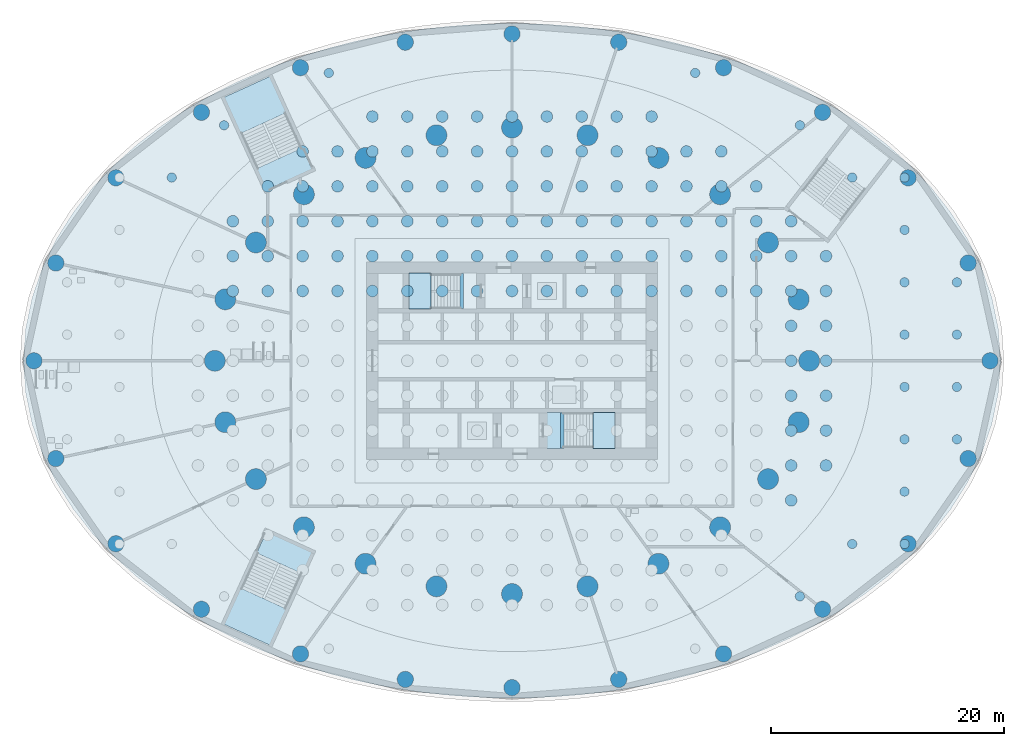
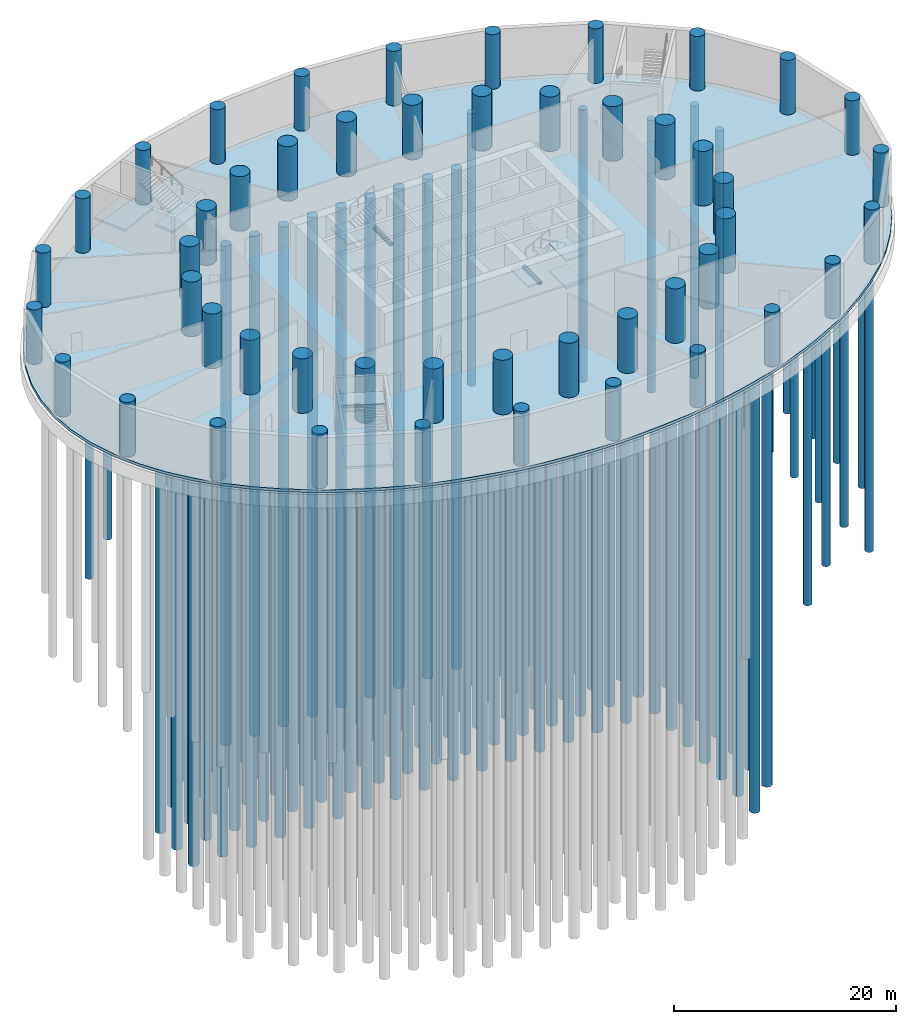
# One storey, part 2 of 12: 121 piles, 48 columns, 10 slabs, 2 beams, 4 elements without a shape of their own.
"""IFC4 building model written with IfcOpenShell, lengths in metres."""

from ifc_helpers import new_model, si_unit, direction, frame, origin, origin_2d, place, context, subcontext, project, spatial, polyline, rectangle, circle, outline, extrude, material, layer, layer_set, material_profile, profile_set, type_object, element, aggregate, save


model = new_model("IFC4")

# Units and contexts
model_context = context("Model", 3, precision=1e-05, world=origin(), true_north=direction((0.0, 1.0)))
body_context = subcontext(model_context, "Body", "Model", "MODEL_VIEW")
ifc_project = project(units=[si_unit("LENGTHUNIT", "METRE"), si_unit("AREAUNIT", "SQUARE_METRE"), si_unit("VOLUMEUNIT", "CUBIC_METRE"), si_unit("PLANEANGLEUNIT", "RADIAN"), si_unit("MASSUNIT", "GRAM", prefix="KILO")], contexts=[model_context])

# Site, building, storey
site_placement = place(None, origin())
site = spatial("IfcSite", under=ifc_project, at=site_placement, CompositionType="ELEMENT")
building_placement = place(site_placement, origin())
building = spatial("IfcBuilding", under=site, at=building_placement, Name="Hankou Lantern Tower", CompositionType="ELEMENT")
storey_placement = place(building_placement, frame((0.0, 0.0, -6.0)))
storey = spatial("IfcBuildingStorey", under=building, at=storey_placement, Name="B1", CompositionType="ELEMENT", Elevation=-6.0)

# Piles
ifc_material_1 = material(Name="Concrete C40", Category="concrete")
ifc_material_profile_1 = material_profile(ifc_material_1, circle(Radius=0.5, at=origin_2d()), Name="RC D1000")
ifc_profile_set_1 = profile_set([ifc_material_profile_1], Name="Concrete C40")
pile_type_1 = type_object("IfcPileType", Name="P1 BORED PILE D1000", PredefinedType="BORED", material=ifc_profile_set_1)
for number, where, z_axis, x_axis, name in (
    (1, (24.0, -12.0, -4.300048828125), (0.0, 0.0, -1.0), (1.0, 0.0, 0.0), "Tower pile 54"),
    (2, (24.0, -9.0, -4.300048828125), (0.0, 0.0, -1.0), (1.0, 0.0, 0.0), "Tower pile 72"),
    (3, (27.0, -9.0, -4.300048828125), (0.0, 0.0, -1.0), (1.0, 0.0, 0.0), "Tower pile 73"),
    (4, (24.0, -6.0, -4.300048828125), (0.0, 0.0, -1.0), (1.0, 0.0, 0.0), "Tower pile 91"),
    (5, (27.0, -6.0, -4.300048828125), (0.0, 0.0, -1.0), (1.0, 0.0, 0.0), "Tower pile 92"),
    (6, (24.0, -3.0, -4.300048828125), (0.0, 0.0, -1.0), (1.0, 0.0, 0.0), "Tower pile 110"),
    (7, (27.0, -3.0, -4.300048828125), (0.0, 0.0, -1.0), (1.0, 0.0, 0.0), "Tower pile 111"),
    (8, (24.0, 0.0, -4.300048828125), (0.0, 0.0, -1.0), (1.0, 0.0, 0.0), "Tower pile 129"),
    (9, (27.0, 0.0, -4.300048828125), (0.0, 0.0, -1.0), (1.0, 0.0, 0.0), "Tower pile 130"),
    (10, (24.0, 3.0, -4.300048828125), (0.0, 0.0, -1.0), (1.0, 0.0, 0.0), "Tower pile 148"),
    (11, (27.0, 3.0, -4.300048828125), (0.0, 0.0, -1.0), (1.0, 0.0, 0.0), "Tower pile 149"),
    (12, (-24.0, 6.0, -4.300048828125), (0.0, 0.0, -1.0), (1.0, 0.0, 0.0), "Tower pile 151"),
    (13, (-21.0, 6.0, -4.300048828125), (0.0, 0.0, -1.0), (1.0, 0.0, 0.0), "Tower pile 152"),
    (14, (-18.0, 6.0, -4.300048828125), (0.0, 0.0, -1.0), (1.0, 0.0, 0.0), "Tower pile 153"),
    (15, (-15.0, 6.0, -4.300048828125), (0.0, 0.0, -1.0), (1.0, 0.0, 0.0), "Tower pile 154"),
):
    element("IfcPile", number, at=place(storey_placement, frame(where, z_axis=z_axis, x_axis=x_axis)), inside=storey, type_object=pile_type_1, Name=name, PredefinedType="BORED", context=body_context, shape_type="SweptSolid", body=[
        extrude(circle(Radius=0.5, at=origin_2d()), origin(), (0.0, 0.0, 1.0), 55.0),
    ])
for number, where, z_axis, x_axis, name in (
    (16, (-12.0, 6.0, -5.300048828125), (0.0, 0.0, -1.0), (1.0, 0.0, 0.0), "Tower pile 155"),
    (17, (-9.0, 6.0, -5.300048828125), (0.0, 0.0, -1.0), (1.0, 0.0, 0.0), "Tower pile 156"),
    (18, (-6.0, 6.0, -5.300048828125), (0.0, 0.0, -1.0), (1.0, 0.0, 0.0), "Tower pile 157"),
    (19, (-3.0, 6.0, -5.300048828125), (0.0, 0.0, -1.0), (1.0, 0.0, 0.0), "Tower pile 158"),
    (20, (0.0, 6.0, -5.300048828125), (0.0, 0.0, -1.0), (1.0, 0.0, 0.0), "Tower pile 159"),
    (21, (3.0, 6.0, -5.300048828125), (0.0, 0.0, -1.0), (1.0, 0.0, 0.0), "Tower pile 160"),
    (22, (6.0, 6.0, -5.300048828125), (0.0, 0.0, -1.0), (1.0, 0.0, 0.0), "Tower pile 161"),
    (23, (9.0, 6.0, -5.300048828125), (0.0, 0.0, -1.0), (1.0, 0.0, 0.0), "Tower pile 162"),
    (24, (12.0, 6.0, -5.300048828125), (0.0, 0.0, -1.0), (1.0, 0.0, 0.0), "Tower pile 163"),
):
    element("IfcPile", number, at=place(storey_placement, frame(where, z_axis=z_axis, x_axis=x_axis)), inside=storey, type_object=pile_type_1, Name=name, PredefinedType="BORED", context=body_context, shape_type="SweptSolid", body=[
        extrude(circle(Radius=0.5, at=origin_2d()), origin(), (0.0, 0.0, 1.0), 54.0),
    ])
for number, where, z_axis, x_axis, name in (
    (25, (15.0, 6.0, -4.300048828125), (0.0, 0.0, -1.0), (1.0, 0.0, 0.0), "Tower pile 164"),
    (26, (18.0, 6.0, -4.300048828125), (0.0, 0.0, -1.0), (1.0, 0.0, 0.0), "Tower pile 165"),
    (27, (21.0, 6.0, -4.300048828125), (0.0, 0.0, -1.0), (1.0, 0.0, 0.0), "Tower pile 166"),
    (28, (24.0, 6.0, -4.300048828125), (0.0, 0.0, -1.0), (1.0, 0.0, 0.0), "Tower pile 167"),
    (29, (27.0, 6.0, -4.300048828125), (0.0, 0.0, -1.0), (1.0, 0.0, 0.0), "Tower pile 168"),
    (30, (-24.0, 9.0, -4.300048828125), (0.0, 0.0, -1.0), (1.0, 0.0, 0.0), "Tower pile 170"),
    (31, (-21.0, 9.0, -4.300048828125), (0.0, 0.0, -1.0), (1.0, 0.0, 0.0), "Tower pile 171"),
    (32, (-18.0, 9.0, -4.300048828125), (0.0, 0.0, -1.0), (1.0, 0.0, 0.0), "Tower pile 172"),
    (33, (-15.0, 9.0, -4.300048828125), (0.0, 0.0, -1.0), (1.0, 0.0, 0.0), "Tower pile 173"),
):
    element("IfcPile", number, at=place(storey_placement, frame(where, z_axis=z_axis, x_axis=x_axis)), inside=storey, type_object=pile_type_1, Name=name, PredefinedType="BORED", context=body_context, shape_type="SweptSolid", body=[
        extrude(circle(Radius=0.5, at=origin_2d()), origin(), (0.0, 0.0, 1.0), 55.0),
    ])
for number, where, z_axis, x_axis, name in (
    (34, (-12.0, 9.0, -5.300048828125), (0.0, 0.0, -1.0), (1.0, 0.0, 0.0), "Tower pile 174"),
    (35, (-9.0, 9.0, -5.300048828125), (0.0, 0.0, -1.0), (1.0, 0.0, 0.0), "Tower pile 175"),
    (36, (-6.0, 9.0, -5.300048828125), (0.0, 0.0, -1.0), (1.0, 0.0, 0.0), "Tower pile 176"),
    (37, (-3.0, 9.0, -5.300048828125), (0.0, 0.0, -1.0), (1.0, 0.0, 0.0), "Tower pile 177"),
    (38, (0.0, 9.0, -5.300048828125), (0.0, 0.0, -1.0), (1.0, 0.0, 0.0), "Tower pile 178"),
    (39, (3.0, 9.0, -5.300048828125), (0.0, 0.0, -1.0), (1.0, 0.0, 0.0), "Tower pile 179"),
    (40, (6.0, 9.0, -5.300048828125), (0.0, 0.0, -1.0), (1.0, 0.0, 0.0), "Tower pile 180"),
    (41, (9.0, 9.0, -5.300048828125), (0.0, 0.0, -1.0), (1.0, 0.0, 0.0), "Tower pile 181"),
    (42, (12.0, 9.0, -5.300048828125), (0.0, 0.0, -1.0), (1.0, 0.0, 0.0), "Tower pile 182"),
):
    element("IfcPile", number, at=place(storey_placement, frame(where, z_axis=z_axis, x_axis=x_axis)), inside=storey, type_object=pile_type_1, Name=name, PredefinedType="BORED", context=body_context, shape_type="SweptSolid", body=[
        extrude(circle(Radius=0.5, at=origin_2d()), origin(), (0.0, 0.0, 1.0), 54.0),
    ])
for number, where, z_axis, x_axis, name in (
    (43, (15.0, 9.0, -4.300048828125), (0.0, 0.0, -1.0), (1.0, 0.0, 0.0), "Tower pile 183"),
    (44, (18.0, 9.0, -4.300048828125), (0.0, 0.0, -1.0), (1.0, 0.0, 0.0), "Tower pile 184"),
    (45, (21.0, 9.0, -4.300048828125), (0.0, 0.0, -1.0), (1.0, 0.0, 0.0), "Tower pile 185"),
    (46, (24.0, 9.0, -4.300048828125), (0.0, 0.0, -1.0), (1.0, 0.0, 0.0), "Tower pile 186"),
    (47, (27.0, 9.0, -4.300048828125), (0.0, 0.0, -1.0), (1.0, 0.0, 0.0), "Tower pile 187"),
    (48, (-24.0, 12.0, -4.300048828125), (0.0, 0.0, -1.0), (1.0, 0.0, 0.0), "Tower pile 188"),
    (49, (-21.0, 12.0, -4.300048828125), (0.0, 0.0, -1.0), (1.0, 0.0, 0.0), "Tower pile 189"),
    (50, (-18.0, 12.0, -4.300048828125), (0.0, 0.0, -1.0), (1.0, 0.0, 0.0), "Tower pile 190"),
    (51, (-15.0, 12.0, -4.300048828125), (0.0, 0.0, -1.0), (1.0, 0.0, 0.0), "Tower pile 191"),
    (52, (-12.0, 12.0, -4.300048828125), (0.0, 0.0, -1.0), (1.0, 0.0, 0.0), "Tower pile 192"),
    (53, (-9.0, 12.0, -4.300048828125), (0.0, 0.0, -1.0), (1.0, 0.0, 0.0), "Tower pile 193"),
    (54, (-6.0, 12.0, -4.300048828125), (0.0, 0.0, -1.0), (1.0, 0.0, 0.0), "Tower pile 194"),
    (55, (-3.0, 12.0, -4.300048828125), (0.0, 0.0, -1.0), (1.0, 0.0, 0.0), "Tower pile 195"),
    (56, (0.0, 12.0, -4.300048828125), (0.0, 0.0, -1.0), (1.0, 0.0, 0.0), "Tower pile 196"),
    (57, (3.0, 12.0, -4.300048828125), (0.0, 0.0, -1.0), (1.0, 0.0, 0.0), "Tower pile 197"),
    (58, (6.0, 12.0, -4.300048828125), (0.0, 0.0, -1.0), (1.0, 0.0, 0.0), "Tower pile 198"),
    (59, (9.0, 12.0, -4.300048828125), (0.0, 0.0, -1.0), (1.0, 0.0, 0.0), "Tower pile 199"),
    (60, (12.0, 12.0, -4.300048828125), (0.0, 0.0, -1.0), (1.0, 0.0, 0.0), "Tower pile 200"),
    (61, (15.0, 12.0, -4.300048828125), (0.0, 0.0, -1.0), (1.0, 0.0, 0.0), "Tower pile 201"),
    (62, (18.0, 12.0, -4.300048828125), (0.0, 0.0, -1.0), (1.0, 0.0, 0.0), "Tower pile 202"),
    (63, (21.0, 12.0, -4.300048828125), (0.0, 0.0, -1.0), (1.0, 0.0, 0.0), "Tower pile 203"),
    (64, (24.0, 12.0, -4.300048828125), (0.0, 0.0, -1.0), (1.0, 0.0, 0.0), "Tower pile 204"),
    (65, (-21.0, 15.0, -4.300048828125), (0.0, 0.0, -1.0), (1.0, 0.0, 0.0), "Tower pile 205"),
    (66, (-18.0, 15.0, -4.300048828125), (0.0, 0.0, -1.0), (1.0, 0.0, 0.0), "Tower pile 206"),
    (67, (-15.0, 15.0, -4.300048828125), (0.0, 0.0, -1.0), (1.0, 0.0, 0.0), "Tower pile 207"),
    (68, (-12.0, 15.0, -4.300048828125), (0.0, 0.0, -1.0), (1.0, 0.0, 0.0), "Tower pile 208"),
    (69, (-9.0, 15.0, -4.300048828125), (0.0, 0.0, -1.0), (1.0, 0.0, 0.0), "Tower pile 209"),
    (70, (-6.0, 15.0, -4.300048828125), (0.0, 0.0, -1.0), (1.0, 0.0, 0.0), "Tower pile 210"),
    (71, (-3.0, 15.0, -4.300048828125), (0.0, 0.0, -1.0), (1.0, 0.0, 0.0), "Tower pile 211"),
    (72, (0.0, 15.0, -4.300048828125), (0.0, 0.0, -1.0), (1.0, 0.0, 0.0), "Tower pile 212"),
    (73, (3.0, 15.0, -4.300048828125), (0.0, 0.0, -1.0), (1.0, 0.0, 0.0), "Tower pile 213"),
    (74, (6.0, 15.0, -4.300048828125), (0.0, 0.0, -1.0), (1.0, 0.0, 0.0), "Tower pile 214"),
    (75, (9.0, 15.0, -4.300048828125), (0.0, 0.0, -1.0), (1.0, 0.0, 0.0), "Tower pile 215"),
    (76, (12.0, 15.0, -4.300048828125), (0.0, 0.0, -1.0), (1.0, 0.0, 0.0), "Tower pile 216"),
    (77, (15.0, 15.0, -4.300048828125), (0.0, 0.0, -1.0), (1.0, 0.0, 0.0), "Tower pile 217"),
    (78, (18.0, 15.0, -4.300048828125), (0.0, 0.0, -1.0), (1.0, 0.0, 0.0), "Tower pile 218"),
    (79, (21.0, 15.0, -4.300048828125), (0.0, 0.0, -1.0), (1.0, 0.0, 0.0), "Tower pile 219"),
    (80, (-18.0, 18.0, -4.300048828125), (0.0, 0.0, -1.0), (1.0, 0.0, 0.0), "Tower pile 220"),
    (81, (-15.0, 18.0, -4.300048828125), (0.0, 0.0, -1.0), (1.0, 0.0, 0.0), "Tower pile 221"),
    (82, (-12.0, 18.0, -4.300048828125), (0.0, 0.0, -1.0), (1.0, 0.0, 0.0), "Tower pile 222"),
    (83, (-9.0, 18.0, -4.300048828125), (0.0, 0.0, -1.0), (1.0, 0.0, 0.0), "Tower pile 223"),
    (84, (-6.0, 18.0, -4.300048828125), (0.0, 0.0, -1.0), (1.0, 0.0, 0.0), "Tower pile 224"),
    (85, (-3.0, 18.0, -4.300048828125), (0.0, 0.0, -1.0), (1.0, 0.0, 0.0), "Tower pile 225"),
    (86, (0.0, 18.0, -4.300048828125), (0.0, 0.0, -1.0), (1.0, 0.0, 0.0), "Tower pile 226"),
    (87, (3.0, 18.0, -4.300048828125), (0.0, 0.0, -1.0), (1.0, 0.0, 0.0), "Tower pile 227"),
    (88, (6.0, 18.0, -4.300048828125), (0.0, 0.0, -1.0), (1.0, 0.0, 0.0), "Tower pile 228"),
    (89, (9.0, 18.0, -4.300048828125), (0.0, 0.0, -1.0), (1.0, 0.0, 0.0), "Tower pile 229"),
    (90, (12.0, 18.0, -4.300048828125), (0.0, 0.0, -1.0), (1.0, 0.0, 0.0), "Tower pile 230"),
    (91, (15.0, 18.0, -4.300048828125), (0.0, 0.0, -1.0), (1.0, 0.0, 0.0), "Tower pile 231"),
    (92, (18.0, 18.0, -4.300048828125), (0.0, 0.0, -1.0), (1.0, 0.0, 0.0), "Tower pile 232"),
    (93, (-12.0, 21.0, -4.300048828125), (0.0, 0.0, -1.0), (1.0, 0.0, 0.0), "Tower pile 233"),
    (94, (-9.0, 21.0, -4.300048828125), (0.0, 0.0, -1.0), (1.0, 0.0, 0.0), "Tower pile 234"),
    (95, (-6.0, 21.0, -4.300048828125), (0.0, 0.0, -1.0), (1.0, 0.0, 0.0), "Tower pile 235"),
    (96, (-3.0, 21.0, -4.300048828125), (0.0, 0.0, -1.0), (1.0, 0.0, 0.0), "Tower pile 236"),
    (97, (0.0, 21.0, -4.300048828125), (0.0, 0.0, -1.0), (1.0, 0.0, 0.0), "Tower pile 237"),
    (98, (3.0, 21.0, -4.300048828125), (0.0, 0.0, -1.0), (1.0, 0.0, 0.0), "Tower pile 238"),
    (99, (6.0, 21.0, -4.300048828125), (0.0, 0.0, -1.0), (1.0, 0.0, 0.0), "Tower pile 239"),
    (100, (9.0, 21.0, -4.300048828125), (0.0, 0.0, -1.0), (1.0, 0.0, 0.0), "Tower pile 240"),
    (101, (12.0, 21.0, -4.300048828125), (0.0, 0.0, -1.0), (1.0, 0.0, 0.0), "Tower pile 241"),
):
    element("IfcPile", number, at=place(storey_placement, frame(where, z_axis=z_axis, x_axis=x_axis)), inside=storey, type_object=pile_type_1, Name=name, PredefinedType="BORED", context=body_context, shape_type="SweptSolid", body=[
        extrude(circle(Radius=0.5, at=origin_2d()), origin(), (0.0, 0.0, 1.0), 55.0),
    ])
ifc_material_2 = material(Name="Concrete C40", Category="concrete")
ifc_material_profile_2 = material_profile(ifc_material_2, circle(Radius=0.39990234375, at=origin_2d()), Name="RC D800")
ifc_profile_set_2 = profile_set([ifc_material_profile_2], Name="Concrete C40")
pile_type_2 = type_object("IfcPileType", Name="P2 BORED PILE D800", PredefinedType="BORED", material=ifc_profile_set_2)
for number, where, z_axis, x_axis, name in (
    (102, (24.75, -20.25, -1.800048828125), (0.0, 0.0, -1.0), (1.0, 0.0, 0.0), "Podium pile 4"),
    (103, (29.25, -15.75, -1.800048828125), (0.0, 0.0, -1.0), (1.0, 0.0, 0.0), "Podium pile 7"),
    (104, (33.75, -15.75, -1.800048828125), (0.0, 0.0, -1.0), (1.0, 0.0, 0.0), "Podium pile 8"),
    (105, (33.75, -11.25, -1.800048828125), (0.0, 0.0, -1.0), (1.0, 0.0, 0.0), "Podium pile 10"),
    (106, (33.75, -6.75, -1.800048828125), (0.0, 0.0, -1.0), (1.0, 0.0, 0.0), "Podium pile 13"),
    (107, (38.25, -6.75, -1.800048828125), (0.0, 0.0, -1.0), (1.0, 0.0, 0.0), "Podium pile 14"),
    (108, (33.75, -2.25, -1.800048828125), (0.0, 0.0, -1.0), (1.0, 0.0, 0.0), "Podium pile 17"),
    (109, (38.25, -2.25, -1.800048828125), (0.0, 0.0, -1.0), (1.0, 0.0, 0.0), "Podium pile 18"),
    (110, (33.75, 2.25, -1.800048828125), (0.0, 0.0, -1.0), (1.0, 0.0, 0.0), "Podium pile 21"),
    (111, (38.25, 2.25, -1.800048828125), (0.0, 0.0, -1.0), (1.0, 0.0, 0.0), "Podium pile 22"),
    (112, (33.75, 6.75, -1.800048828125), (0.0, 0.0, -1.0), (1.0, 0.0, 0.0), "Podium pile 25"),
    (113, (38.25, 6.75, -1.800048828125), (0.0, 0.0, -1.0), (1.0, 0.0, 0.0), "Podium pile 26"),
    (114, (33.75, 11.25, -1.800048828125), (0.0, 0.0, -1.0), (1.0, 0.0, 0.0), "Podium pile 28"),
    (115, (-29.25, 15.75, -1.800048828125), (0.0, 0.0, -1.0), (1.0, 0.0, 0.0), "Podium pile 30"),
    (116, (29.25, 15.75, -1.800048828125), (0.0, 0.0, -1.0), (1.0, 0.0, 0.0), "Podium pile 31"),
    (117, (33.75, 15.75, -1.800048828125), (0.0, 0.0, -1.0), (1.0, 0.0, 0.0), "Podium pile 32"),
    (118, (-24.75, 20.25, -1.800048828125), (0.0, 0.0, -1.0), (1.0, 0.0, 0.0), "Podium pile 33"),
    (119, (24.75, 20.25, -1.800048828125), (0.0, 0.0, -1.0), (1.0, 0.0, 0.0), "Podium pile 34"),
    (120, (-15.75, 24.75, -1.800048828125), (0.0, 0.0, -1.0), (1.0, 0.0, 0.0), "Podium pile 35"),
    (121, (15.75, 24.75, -1.800048828125), (0.0, 0.0, -1.0), (1.0, 0.0, 0.0), "Podium pile 36"),
):
    element("IfcPile", number, at=place(storey_placement, frame(where, z_axis=z_axis, x_axis=x_axis)), inside=storey, type_object=pile_type_2, Name=name, PredefinedType="BORED", context=body_context, shape_type="SweptSolid", body=[
        extrude(circle(Radius=0.39990234375, at=origin_2d()), origin(), (0.0, 0.0, 1.0), 30.0),
    ])

# Columns
ifc_material_3 = material(Name="Concrete C60", Category="concrete")
ifc_material_profile_3 = material_profile(ifc_material_3, circle(Radius=0.699951171875, at=origin_2d()), Name="RC D1400")
ifc_profile_set_3 = profile_set([ifc_material_profile_3], Name="Concrete C60")
column_type_1 = type_object("IfcColumnType", Name="PC1 PODIUM COLUMN RC D1400", PredefinedType="COLUMN", material=ifc_profile_set_3)
for number, where, z_axis, x_axis, name in (
    (122, (41.10009765625, 0.0, 0.0), (0.0, 0.0, 1.0), (1.0, 0.0, 0.0), "Podium column R01 B1"),
    (123, (39.217529296875, 8.40673828125, 0.0), (0.0, 0.0, 1.0), (1.0, 0.0, 0.0), "Podium column R02 B1"),
    (124, (34.056884765625, 15.730224609375, 0.0), (0.0, 0.0, 1.0), (1.0, 0.0, 0.0), "Podium column R03 B1"),
    (125, (26.7021484375, 21.361572265625, 0.0), (0.0, 0.0, 1.0), (1.0, 0.0, 0.0), "Podium column R04 B1"),
    (126, (18.18603515625, 25.199462890625, 0.0), (0.0, 0.0, 1.0), (1.0, 0.0, 0.0), "Podium column R05 B1"),
    (127, (9.17431640625, 27.39111328125, 0.0), (0.0, 0.0, 1.0), (1.0, 0.0, 0.0), "Podium column R06 B1"),
    (128, (0.0, 28.10009765625, 0.0), (0.0, 0.0, 1.0), (1.0, 0.0, 0.0), "Podium column R07 B1"),
    (129, (-9.17431640625, 27.39111328125, 0.0), (0.0, 0.0, 1.0), (1.0, 0.0, 0.0), "Podium column R08 B1"),
    (130, (-18.18603515625, 25.199462890625, 0.0), (0.0, 0.0, 1.0), (1.0, 0.0, 0.0), "Podium column R09 B1"),
    (131, (-26.7021484375, 21.361572265625, 0.0), (0.0, 0.0, 1.0), (1.0, 0.0, 0.0), "Podium column R10 B1"),
    (132, (-34.056884765625, 15.730224609375, 0.0), (0.0, 0.0, 1.0), (1.0, 0.0, 0.0), "Podium column R11 B1"),
    (133, (-39.217529296875, 8.40673828125, 0.0), (0.0, 0.0, 1.0), (1.0, 0.0, 0.0), "Podium column R12 B1"),
    (134, (-41.10009765625, 0.0, 0.0), (0.0, 0.0, 1.0), (1.0, 0.0, 0.0), "Podium column R13 B1"),
    (135, (-39.217529296875, -8.40673828125, 0.0), (0.0, 0.0, 1.0), (1.0, 0.0, 0.0), "Podium column R14 B1"),
    (136, (-34.056884765625, -15.730224609375, 0.0), (0.0, 0.0, 1.0), (1.0, 0.0, 0.0), "Podium column R15 B1"),
    (137, (-26.7021484375, -21.361572265625, 0.0), (0.0, 0.0, 1.0), (1.0, 0.0, 0.0), "Podium column R16 B1"),
    (138, (-18.18603515625, -25.199462890625, 0.0), (0.0, 0.0, 1.0), (1.0, 0.0, 0.0), "Podium column R17 B1"),
    (139, (-9.17431640625, -27.39111328125, 0.0), (0.0, 0.0, 1.0), (1.0, 0.0, 0.0), "Podium column R18 B1"),
    (140, (0.0, -28.10009765625, 0.0), (0.0, 0.0, 1.0), (1.0, 0.0, 0.0), "Podium column R19 B1"),
    (141, (9.17431640625, -27.39111328125, 0.0), (0.0, 0.0, 1.0), (1.0, 0.0, 0.0), "Podium column R20 B1"),
    (142, (18.18603515625, -25.199462890625, 0.0), (0.0, 0.0, 1.0), (1.0, 0.0, 0.0), "Podium column R21 B1"),
    (143, (26.7021484375, -21.361572265625, 0.0), (0.0, 0.0, 1.0), (1.0, 0.0, 0.0), "Podium column R22 B1"),
    (144, (34.056884765625, -15.730224609375, 0.0), (0.0, 0.0, 1.0), (1.0, 0.0, 0.0), "Podium column R23 B1"),
    (145, (39.217529296875, -8.40673828125, 0.0), (0.0, 0.0, 1.0), (1.0, 0.0, 0.0), "Podium column R24 B1"),
):
    element("IfcColumn", number, at=place(storey_placement, frame(where, z_axis=z_axis, x_axis=x_axis)), inside=storey, type_object=column_type_1, Name=name, PredefinedType="COLUMN", context=body_context, shape_type="SweptSolid", body=[
        extrude(circle(Radius=0.699951171875, at=origin_2d()), origin(), (0.0, 0.0, 1.0), 6.0),
    ])
ifc_material_4 = material(Name="Concrete C60", Category="concrete")
ifc_material_profile_4 = material_profile(ifc_material_4, circle(Radius=0.89990234375, at=origin_2d()), Name="RC D1800")
ifc_profile_set_4 = profile_set([ifc_material_profile_4], Name="Concrete C60")
column_type_2 = type_object("IfcColumnType", Name="TC1 PERIMETER COLUMN RC D1800", PredefinedType="COLUMN", material=ifc_profile_set_4)
for number, where, z_axis, x_axis, name in (
    (146, (25.550048828125, 0.0, 0.0), (0.0, 0.0, 1.0), (1.0, 0.0, 0.0), "Column R01 B1"),
    (147, (24.64697265625, 5.283203125, 0.0), (0.0, 0.0, 1.0), (1.0, 0.0, 0.0), "Column R02 B1"),
    (148, (22.01904296875, 10.170166015625, 0.0), (0.0, 0.0, 1.0), (1.0, 0.0, 0.0), "Column R03 B1"),
    (149, (17.891845703125, 14.3134765625, 0.0), (0.0, 0.0, 1.0), (1.0, 0.0, 0.0), "Column R04 B1"),
    (150, (12.5908203125, 17.446533203125, 0.0), (0.0, 0.0, 1.0), (1.0, 0.0, 0.0), "Column R05 B1"),
    (151, (6.494873046875, 19.391357421875, 0.0), (0.0, 0.0, 1.0), (1.0, 0.0, 0.0), "Column R06 B1"),
    (152, (0.0, 20.050048828125, 0.0), (0.0, 0.0, 1.0), (1.0, 0.0, 0.0), "Column R07 B1"),
    (153, (-6.494873046875, 19.391357421875, 0.0), (0.0, 0.0, 1.0), (1.0, 0.0, 0.0), "Column R08 B1"),
    (154, (-12.5908203125, 17.446533203125, 0.0), (0.0, 0.0, 1.0), (1.0, 0.0, 0.0), "Column R09 B1"),
    (155, (-17.891845703125, 14.3134765625, 0.0), (0.0, 0.0, 1.0), (1.0, 0.0, 0.0), "Column R10 B1"),
    (156, (-22.01904296875, 10.170166015625, 0.0), (0.0, 0.0, 1.0), (1.0, 0.0, 0.0), "Column R11 B1"),
    (157, (-24.64697265625, 5.283203125, 0.0), (0.0, 0.0, 1.0), (1.0, 0.0, 0.0), "Column R12 B1"),
    (158, (-25.550048828125, 0.0, 0.0), (0.0, 0.0, 1.0), (1.0, 0.0, 0.0), "Column R13 B1"),
    (159, (-24.64697265625, -5.283203125, 0.0), (0.0, 0.0, 1.0), (1.0, 0.0, 0.0), "Column R14 B1"),
    (160, (-22.01904296875, -10.170166015625, 0.0), (0.0, 0.0, 1.0), (1.0, 0.0, 0.0), "Column R15 B1"),
    (161, (-17.891845703125, -14.3134765625, 0.0), (0.0, 0.0, 1.0), (1.0, 0.0, 0.0), "Column R16 B1"),
    (162, (-12.5908203125, -17.446533203125, 0.0), (0.0, 0.0, 1.0), (1.0, 0.0, 0.0), "Column R17 B1"),
    (163, (-6.494873046875, -19.391357421875, 0.0), (0.0, 0.0, 1.0), (1.0, 0.0, 0.0), "Column R18 B1"),
    (164, (0.0, -20.050048828125, 0.0), (0.0, 0.0, 1.0), (1.0, 0.0, 0.0), "Column R19 B1"),
    (165, (6.494873046875, -19.391357421875, 0.0), (0.0, 0.0, 1.0), (1.0, 0.0, 0.0), "Column R20 B1"),
    (166, (12.5908203125, -17.446533203125, 0.0), (0.0, 0.0, 1.0), (1.0, 0.0, 0.0), "Column R21 B1"),
    (167, (17.891845703125, -14.3134765625, 0.0), (0.0, 0.0, 1.0), (1.0, 0.0, 0.0), "Column R22 B1"),
    (168, (22.01904296875, -10.170166015625, 0.0), (0.0, 0.0, 1.0), (1.0, 0.0, 0.0), "Column R23 B1"),
    (169, (24.64697265625, -5.283203125, 0.0), (0.0, 0.0, 1.0), (1.0, 0.0, 0.0), "Column R24 B1"),
):
    element("IfcColumn", number, at=place(storey_placement, frame(where, z_axis=z_axis, x_axis=x_axis)), inside=storey, type_object=column_type_2, Name=name, PredefinedType="COLUMN", context=body_context, shape_type="SweptSolid", body=[
        extrude(circle(Radius=0.89990234375, at=origin_2d()), origin(), (0.0, 0.0, 1.0), 6.0),
    ])

# Beams
ifc_material_5 = material(Name="Concrete C40", Category="concrete")
ifc_material_profile_5 = material_profile(ifc_material_5, rectangle(XDim=0.300048828125, YDim=0.25, at=origin_2d()), Name="RC 300x250")
ifc_profile_set_5 = profile_set([ifc_material_profile_5], Name="Concrete C40")
beam_type = type_object("IfcBeamType", Name="LB1 STAIR LANDING BEAM RC 300x250", PredefinedType="BEAM", material=ifc_profile_set_5)
for number, where, z_axis, x_axis, name in (
    (170, (-4.300048828125, 4.5, 2.875), (0.0, 1.0, 0.0), (-1.0, 0.0, 0.0), "Stair STA landing beam B1"),
    (171, (4.300048828125, -4.5, 2.875), (0.0, -1.0, 0.0), (1.0, 0.0, 0.0), "Stair STB landing beam B1"),
):
    element("IfcBeam", number, at=place(storey_placement, frame(where, z_axis=z_axis, x_axis=x_axis)), inside=storey, type_object=beam_type, Name=name, PredefinedType="BEAM", context=body_context, shape_type="SweptSolid", body=[
        extrude(rectangle(XDim=0.300048828125, YDim=0.25, at=origin_2d()), origin(), (0.0, 0.0, 1.0), 3.0),
    ])

# Slab
ifc_material_6 = material(Name="Concrete C50", Category="concrete")
ifc_layer_1 = layer(ifc_material_6, 0.300048828125)
ifc_layer_set_1 = layer_set([ifc_layer_1], Name="Concrete C50")
slab_type_1 = type_object("IfcSlabType", Name="S0 BASEMENT SLAB 300", PredefinedType="BASESLAB", material=ifc_layer_set_1)
slab_1_placement = place(storey_placement, frame((0.0, 0.0, -0.300048828125)))
element("IfcSlab", 172, at=slab_1_placement, inside=storey, type_object=slab_type_1, Name="Basement slab", PredefinedType="BASESLAB", context=body_context, shape_type="SweptSolid", body=[
    extrude(outline(polyline([(42.0, 0.0), (41.81201171875, 2.740478515625), (41.2568359375, 5.431640625), (40.358642578125, 8.02783203125), (39.155029296875, 10.491455078125), (37.69140625, 12.79443359375), (36.016357421875, 14.91845703125), (34.177978515625, 16.854736328125), (32.220458984375, 18.6025390625), (30.181884765625, 20.166748046875), (28.09375, 21.55712890625), (25.981689453125, 22.78515625), (23.864013671875, 23.864013671875), (21.7548828125, 24.806640625), (19.6630859375, 25.62548828125), (17.594970703125, 26.33251953125), (15.552978515625, 26.9384765625), (13.537841796875, 27.4521484375), (11.549072265625, 27.882080078125), (9.58447265625, 28.23486328125), (7.640869140625, 28.51611328125), (5.71484375, 28.730224609375), (3.80224609375, 28.880859375), (1.89892578125, 28.970458984375), (0.0, 29.0), (-1.89892578125, 28.970458984375), (-3.80224609375, 28.880859375), (-5.71484375, 28.730224609375), (-7.640869140625, 28.51611328125), (-9.58447265625, 28.23486328125), (-11.549072265625, 27.882080078125), (-13.537841796875, 27.4521484375), (-15.552978515625, 26.9384765625), (-17.594970703125, 26.33251953125), (-19.6630859375, 25.62548828125), (-21.7548828125, 24.806640625), (-23.864013671875, 23.864013671875), (-25.981689453125, 22.78515625), (-28.09375, 21.55712890625), (-30.181884765625, 20.166748046875), (-32.220458984375, 18.6025390625), (-34.177978515625, 16.854736328125), (-36.016357421875, 14.91845703125), (-37.69140625, 12.79443359375), (-39.155029296875, 10.491455078125), (-40.358642578125, 8.02783203125), (-41.2568359375, 5.431640625), (-41.81201171875, 2.740478515625), (-42.0, 0.0), (-41.81201171875, -2.740478515625), (-41.2568359375, -5.431640625), (-40.358642578125, -8.02783203125), (-39.155029296875, -10.491455078125), (-37.69140625, -12.79443359375), (-36.016357421875, -14.91845703125), (-34.177978515625, -16.854736328125), (-32.220458984375, -18.6025390625), (-30.181884765625, -20.166748046875), (-28.09375, -21.55712890625), (-25.981689453125, -22.78515625), (-23.864013671875, -23.864013671875), (-21.7548828125, -24.806640625), (-19.6630859375, -25.62548828125), (-17.594970703125, -26.33251953125), (-15.552978515625, -26.9384765625), (-13.537841796875, -27.4521484375), (-11.549072265625, -27.882080078125), (-9.58447265625, -28.23486328125), (-7.640869140625, -28.51611328125), (-5.71484375, -28.730224609375), (-3.80224609375, -28.880859375), (-1.89892578125, -28.970458984375), (0.0, -29.0), (1.89892578125, -28.970458984375), (3.80224609375, -28.880859375), (5.71484375, -28.730224609375), (7.640869140625, -28.51611328125), (9.58447265625, -28.23486328125), (11.549072265625, -27.882080078125), (13.537841796875, -27.4521484375), (15.552978515625, -26.9384765625), (17.594970703125, -26.33251953125), (19.6630859375, -25.62548828125), (21.7548828125, -24.806640625), (23.864013671875, -23.864013671875), (25.981689453125, -22.78515625), (28.09375, -21.55712890625), (30.181884765625, -20.166748046875), (32.220458984375, -18.6025390625), (34.177978515625, -16.854736328125), (36.016357421875, -14.91845703125), (37.69140625, -12.79443359375), (39.155029296875, -10.491455078125), (40.358642578125, -8.02783203125), (41.2568359375, -5.431640625), (41.81201171875, -2.740478515625), (42.0, 0.0)])), origin(), (0.0, 0.0, 1.0), 0.300048828125),
])

# Stair, slabs
ifc_material_7 = material(Name="Concrete C40", Category="concrete")
stair_type_1 = type_object("IfcStairType", Name="ST60 CORE STAIR 6000 RISE", PredefinedType="HALF_TURN_STAIR", material=ifc_material_7)
stair_1_placement = place(storey_placement, origin())
stair_1 = element("IfcStair", 173, at=stair_1_placement, inside=storey, type_object=stair_type_1, Name="Stair STA B1", PredefinedType="HALF_TURN_STAIR")
ifc_material_8 = material(Name="Concrete C40", Category="concrete")
ifc_layer_2 = layer(ifc_material_8, 0.199951171875)
ifc_layer_set_2 = layer_set([ifc_layer_2], Name="Concrete C40")
slab_type_2 = type_object("IfcSlabType", Name="SL1 STAIR LANDING 200", PredefinedType="LANDING", material=ifc_layer_set_2)
slab_2_placement = place(storey_placement, frame((0.0, 0.0, 1.300048828125)))
slab_2 = element("IfcSlab", 174, at=slab_2_placement, type_object=slab_type_2, Name="STA landing 1", PredefinedType="LANDING", context=body_context, shape_type="SweptSolid", body=[
    extrude(outline(polyline([(-8.85009765625, 4.449951171875), (-6.949951171875, 4.449951171875), (-6.949951171875, 7.550048828125), (-8.85009765625, 7.550048828125), (-8.85009765625, 4.449951171875)])), origin(), (0.0, 0.0, 1.0), 0.199951171875),
])
slab_3_placement = place(storey_placement, frame((0.0, 0.0, 4.300048828125)))
slab_3 = element("IfcSlab", 175, at=slab_3_placement, type_object=slab_type_2, Name="STA landing 3", PredefinedType="LANDING", context=body_context, shape_type="SweptSolid", body=[
    extrude(outline(polyline([(-8.85009765625, 4.449951171875), (-6.949951171875, 4.449951171875), (-6.949951171875, 7.550048828125), (-8.85009765625, 7.550048828125), (-8.85009765625, 4.449951171875)])), origin(), (0.0, 0.0, 1.0), 0.199951171875),
])
aggregate(stair_1, [slab_2, slab_3])

stair_2_placement = place(storey_placement, origin())
stair_2 = element("IfcStair", 176, at=stair_2_placement, inside=storey, type_object=stair_type_1, Name="Stair STB B1", PredefinedType="HALF_TURN_STAIR")
slab_4_placement = place(storey_placement, frame((0.0, 0.0, 1.300048828125)))
slab_4 = element("IfcSlab", 177, at=slab_4_placement, type_object=slab_type_2, Name="STB landing 1", PredefinedType="LANDING", context=body_context, shape_type="SweptSolid", body=[
    extrude(outline(polyline([(8.85009765625, -4.449951171875), (6.949951171875, -4.449951171875), (6.949951171875, -7.550048828125), (8.85009765625, -7.550048828125), (8.85009765625, -4.449951171875)])), origin(), (0.0, 0.0, 1.0), 0.199951171875),
])
slab_5_placement = place(storey_placement, frame((0.0, 0.0, 2.800048828125)))
slab_5 = element("IfcSlab", 178, at=slab_5_placement, type_object=slab_type_2, Name="STB landing 2", PredefinedType="LANDING", context=body_context, shape_type="SweptSolid", body=[
    extrude(outline(polyline([(4.449951171875, -4.449951171875), (3.0, -4.449951171875), (3.0, -7.550048828125), (4.449951171875, -7.550048828125), (4.449951171875, -4.449951171875)])), origin(), (0.0, 0.0, 1.0), 0.199951171875),
])
slab_6_placement = place(storey_placement, frame((0.0, 0.0, 4.300048828125)))
slab_6 = element("IfcSlab", 179, at=slab_6_placement, type_object=slab_type_2, Name="STB landing 3", PredefinedType="LANDING", context=body_context, shape_type="SweptSolid", body=[
    extrude(outline(polyline([(8.85009765625, -4.449951171875), (6.949951171875, -4.449951171875), (6.949951171875, -7.550048828125), (8.85009765625, -7.550048828125), (8.85009765625, -4.449951171875)])), origin(), (0.0, 0.0, 1.0), 0.199951171875),
])
aggregate(stair_2, [slab_4, slab_5, slab_6])

ifc_material_9 = material(Name="Concrete C40", Category="concrete")
stair_type_2 = type_object("IfcStairType", Name="PS60 PODIUM STAIR 6000 RISE", PredefinedType="HALF_TURN_STAIR", material=ifc_material_9)
stair_3_placement = place(storey_placement, origin())
stair_3 = element("IfcStair", 180, at=stair_3_placement, inside=storey, type_object=stair_type_2, Name="Stair BS2 B1", PredefinedType="HALF_TURN_STAIR")
ifc_material_10 = material(Name="Concrete C40", Category="concrete")
ifc_layer_3 = layer(ifc_material_10, 0.25)
ifc_layer_set_3 = layer_set([ifc_layer_3], Name="Concrete C40")
slab_type_3 = type_object("IfcSlabType", Name="SL2 PODIUM STAIR LANDING 250", PredefinedType="LANDING", material=ifc_layer_set_3)
slab_7_placement = place(storey_placement, frame((0.0, 0.0, 1.75)))
slab_7 = element("IfcSlab", 181, at=slab_7_placement, type_object=slab_type_3, Name="BS2 landing 1", PredefinedType="LANDING", context=body_context, shape_type="SweptSolid", body=[
    extrude(outline(polyline([(-20.833984375, 24.441162109375), (-24.74560546875, 22.6552734375), (-23.3251953125, 19.544189453125), (-19.41357421875, 21.330078125), (-20.833984375, 24.441162109375)])), origin(), (0.0, 0.0, 1.0), 0.25),
])
slab_8_placement = place(storey_placement, frame((0.0, 0.0, 3.75)))
slab_8 = element("IfcSlab", 182, at=slab_8_placement, type_object=slab_type_3, Name="BS2 landing 2", PredefinedType="LANDING", context=body_context, shape_type="SweptSolid", body=[
    extrude(outline(polyline([(-18.03466796875, 18.31005859375), (-21.9462890625, 16.524169921875), (-21.107421875, 14.6865234375), (-17.19580078125, 16.47265625), (-18.03466796875, 18.31005859375)])), origin(), (0.0, 0.0, 1.0), 0.25),
])
aggregate(stair_3, [slab_7, slab_8])

stair_4_placement = place(storey_placement, origin())
stair_4 = element("IfcStair", 183, at=stair_4_placement, inside=storey, type_object=stair_type_2, Name="Stair BS3 B1", PredefinedType="HALF_TURN_STAIR")
slab_9_placement = place(storey_placement, frame((0.0, 0.0, 1.75)))
slab_9 = element("IfcSlab", 184, at=slab_9_placement, type_object=slab_type_3, Name="BS3 landing 1", PredefinedType="LANDING", context=body_context, shape_type="SweptSolid", body=[
    extrude(outline(polyline([(-24.74560546875, -22.6552734375), (-20.833984375, -24.441162109375), (-19.41357421875, -21.330078125), (-23.3251953125, -19.544189453125), (-24.74560546875, -22.6552734375)])), origin(), (0.0, 0.0, 1.0), 0.25),
])
slab_10_placement = place(storey_placement, frame((0.0, 0.0, 3.75)))
slab_10 = element("IfcSlab", 185, at=slab_10_placement, type_object=slab_type_3, Name="BS3 landing 2", PredefinedType="LANDING", context=body_context, shape_type="SweptSolid", body=[
    extrude(outline(polyline([(-21.9462890625, -16.524169921875), (-18.03466796875, -18.31005859375), (-17.19580078125, -16.47265625), (-21.107421875, -14.6865234375), (-21.9462890625, -16.524169921875)])), origin(), (0.0, 0.0, 1.0), 0.25),
])
aggregate(stair_4, [slab_9, slab_10])

save(model, "model.ifc")
